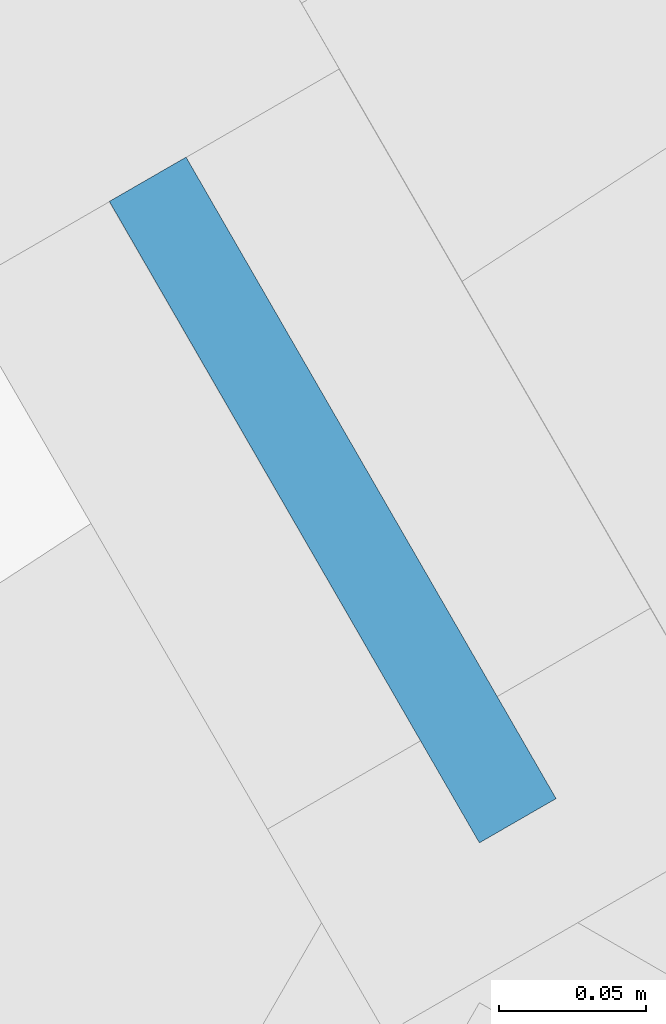
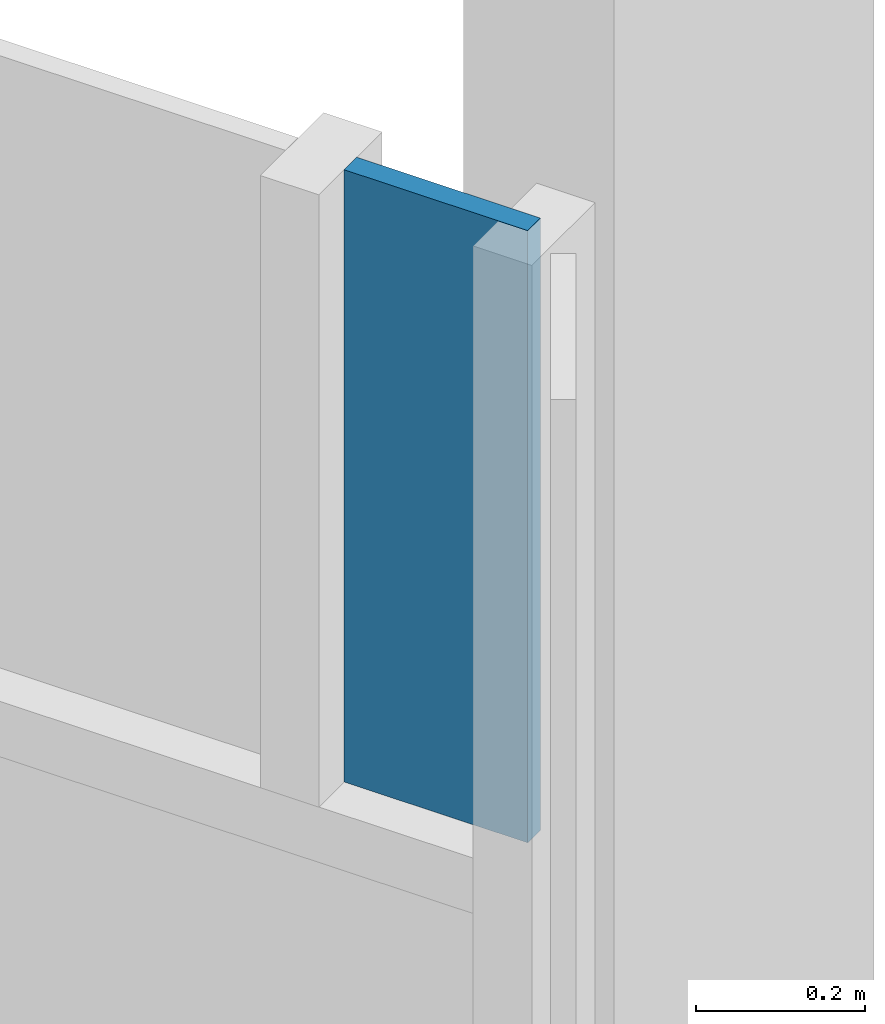
# One storey, part 15 of 21: 1 plate, 1 element without a shape of its own.
"""IFC4 building model written with IfcOpenShell, lengths in metres."""

from ifc_helpers import new_model, si_unit, direction, frame, origin, place, context, subcontext, project, spatial, polyline, outline, extrude, material, layer, layer_set, type_object, element, aggregate, save


model = new_model("IFC4")

# Units and contexts
model_context = context("Model", 3, precision=1e-05, world=origin(), true_north=direction((0.0, 1.0)))
body_context = subcontext(model_context, "Body", "Model", "MODEL_VIEW")
ifc_project = project(units=[si_unit("LENGTHUNIT", "METRE"), si_unit("AREAUNIT", "SQUARE_METRE"), si_unit("VOLUMEUNIT", "CUBIC_METRE"), si_unit("PLANEANGLEUNIT", "RADIAN"), si_unit("MASSUNIT", "GRAM", prefix="KILO")], contexts=[model_context])

# Site, building, storey
site_placement = place(None, origin())
site = spatial("IfcSite", under=ifc_project, at=site_placement, CompositionType="ELEMENT")
building_placement = place(site_placement, origin())
building = spatial("IfcBuilding", under=site, at=building_placement, Name="Firuza Gate Tower and Library", CompositionType="ELEMENT")
storey_placement = place(building_placement, frame((0.0, 0.0, 281.10009765625)))
storey = spatial("IfcBuildingStorey", under=building, at=storey_placement, Name="L67", CompositionType="ELEMENT", Elevation=281.10009765625)

# Curtain wall, plate
ifc_material_1 = material(Name="Aluminium 6063-T6", Category="aluminium")
ifc_layer_1 = layer(ifc_material_1, 0.14990234375)
ifc_layer_set_1 = layer_set([ifc_layer_1], Name="Unitised curtain wall, residences")
curtain_wall_type = type_object("IfcCurtainWallType", Name="Unitised curtain wall, residences", PredefinedType="NOTDEFINED", material=ifc_layer_set_1)
curtain_wall_placement = place(storey_placement, origin())
curtain_wall = element("IfcCurtainWall", 1, at=curtain_wall_placement, inside=storey, type_object=curtain_wall_type, Name="CW3 L67 E face", PredefinedType="NOTDEFINED")
ifc_material_2 = material(Name="Glazed ceramic tile")
ifc_layer_2 = layer(ifc_material_2, 0.030029296875)
ifc_layer_set_2 = layer_set([ifc_layer_2], Name="Opaque ceramic panel, residences")
plate_type = type_object("IfcPlateType", Name="Opaque ceramic panel, residences", PredefinedType="CURTAIN_PANEL", material=ifc_layer_set_2)
plate_placement = place(storey_placement, frame((101.042236328125, 64.20947265625, 2.414794921875), z_axis=(0.866201770413, 0.499694399542, 0.0), x_axis=(-0.499694399542, 0.866201770413, 0.0)))
plate = element("IfcPlate", 2, at=plate_placement, type_object=plate_type, Name="Opaque ceramic panel", PredefinedType="CURTAIN_PANEL", context=body_context, shape_type="SweptSolid", body=[
    extrude(outline(polyline([(0.0, 0.0), (0.25113005341856437, 0.0), (0.25113005341856437, 0.885009765625), (0.0, 0.885009765625), (0.0, 0.0)])), origin(), (0.0, 0.0, -1.0), 0.030029296875),
])
aggregate(curtain_wall, [plate])

save(model, "model.ifc")
